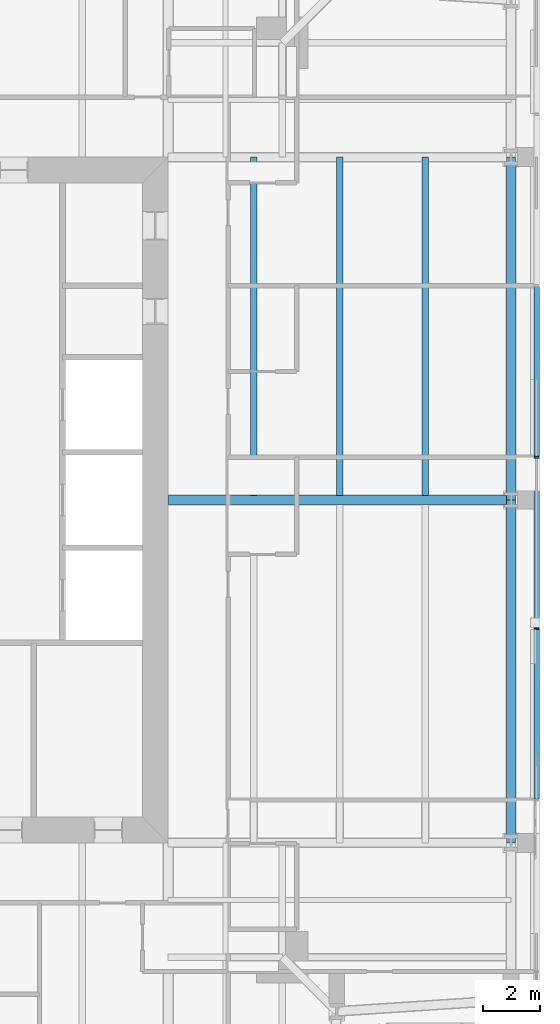
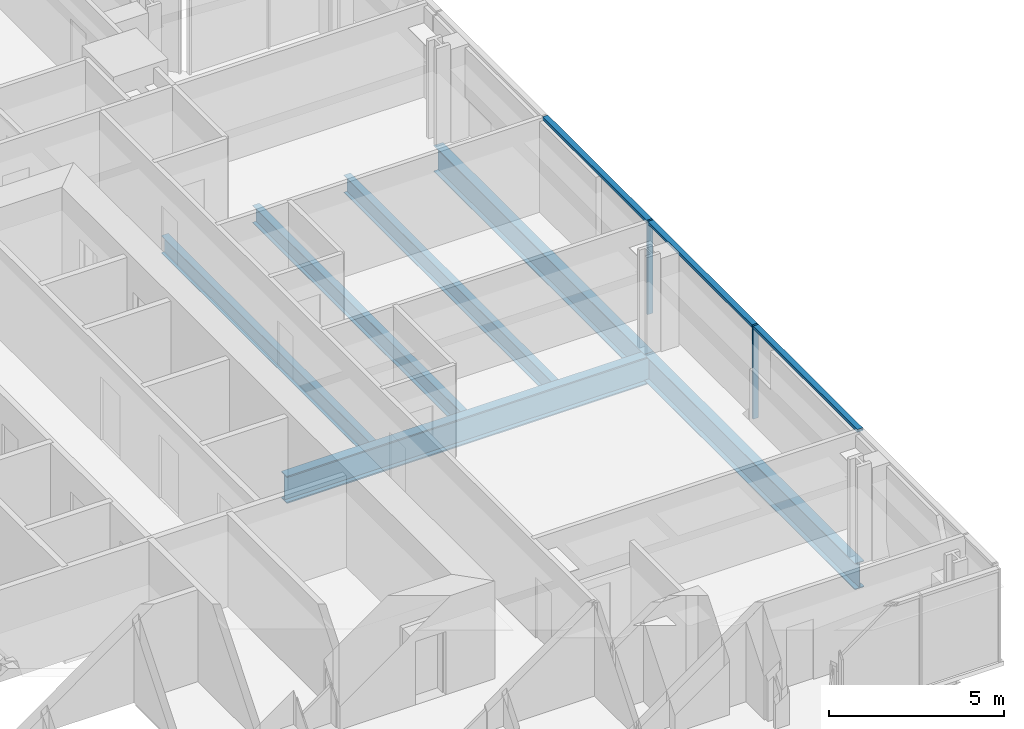
# One storey, part 6 of 18: 6 beams, 5 members, 1 element without a shape of its own.
"""IFC4 building model written with IfcOpenShell, lengths in metres."""

from ifc_helpers import new_model, si_unit, direction, frame, origin, origin_2d, place, context, subcontext, project, spatial, rectangle, i_section, extrude, material, material_profile, profile_set, type_object, element, aggregate, save


model = new_model("IFC4")

# Units and contexts
model_context = context("Model", 3, precision=1e-05, world=origin(), true_north=direction((0.0, 1.0)))
body_context = subcontext(model_context, "Body", "Model", "MODEL_VIEW")
ifc_project = project(units=[si_unit("LENGTHUNIT", "METRE"), si_unit("AREAUNIT", "SQUARE_METRE"), si_unit("VOLUMEUNIT", "CUBIC_METRE"), si_unit("PLANEANGLEUNIT", "RADIAN"), si_unit("MASSUNIT", "GRAM", prefix="KILO")], contexts=[model_context])

# Site, building, storey
site_placement = place(None, origin())
site = spatial("IfcSite", under=ifc_project, at=site_placement, CompositionType="ELEMENT")
building_placement = place(site_placement, origin())
building = spatial("IfcBuilding", under=site, at=building_placement, Name="Fenwick Lantern Interchange", CompositionType="ELEMENT")
storey_placement = place(building_placement, frame((0.0, 0.0, 262.800048828125)))
storey = spatial("IfcBuildingStorey", under=building, at=storey_placement, Name="L62", CompositionType="ELEMENT", Elevation=262.800048828125)

# Beams
ifc_material_1 = material(Name="Steel ASTM A992 Grade 50", Category="steel")
ifc_material_profile_1 = material_profile(ifc_material_1, i_section(OverallWidth=0.3046875, OverallDepth=0.911865234375, WebThickness=0.015869140625, FlangeThickness=0.02392578125, at=origin_2d()), Name="W36X150")
ifc_profile_set_1 = profile_set([ifc_material_profile_1], Name="Steel ASTM A992 Grade 50")
beam_type_1 = type_object("IfcBeamType", Name="EDGE BEAM W36X150", PredefinedType="SPANDREL", material=ifc_profile_set_1)
for number, where, z_axis, x_axis, name in (
    (1, (49.0, 13.0, -0.60595703125), (0.0, 1.0, 0.0), (-1.0, 0.0, 0.0), "L62/FR/E/EB2"),
    (2, (49.0, 25.0, -0.60595703125), (0.0, 1.0, 0.0), (-1.0, 0.0, 0.0), "L62/FR/E/EB3"),
):
    element("IfcBeam", number, at=place(storey_placement, frame(where, z_axis=z_axis, x_axis=x_axis)), inside=storey, type_object=beam_type_1, Name=name, PredefinedType="SPANDREL", context=body_context, shape_type="SweptSolid", body=[
        extrude(i_section(OverallWidth=0.3046875, OverallDepth=0.911865234375, WebThickness=0.015869140625, FlangeThickness=0.02392578125, at=origin_2d()), origin(), (0.0, 0.0, 1.0), 12.0),
    ])
ifc_material_profile_2 = material_profile(ifc_material_1, i_section(OverallWidth=0.22900390625, OverallDepth=0.612060546875, WebThickness=0.011962890625, FlangeThickness=0.01953125, at=origin_2d()), Name="W24X84")
ifc_profile_set_2 = profile_set([ifc_material_profile_2], Name="Steel ASTM A992 Grade 50")
beam_type_2 = type_object("IfcBeamType", Name="FLOOR BEAM W24X84", PredefinedType="BEAM", material=ifc_profile_set_2)
for number, where, z_axis, x_axis, name in (
    (3, (46.0, 25.155029296875, -0.4560546875), (0.0, 1.0, 0.0), (-1.0, 0.0, 0.0), "L62/FR/E/B04"),
    (4, (43.0, 25.155029296875, -0.4560546875), (0.0, 1.0, 0.0), (-1.0, 0.0, 0.0), "L62/FR/E/B05"),
    (5, (40.0, 25.155029296875, -0.4560546875), (0.0, 1.0, 0.0), (-1.0, 0.0, 0.0), "L62/FR/E/B06"),
):
    element("IfcBeam", number, at=place(storey_placement, frame(where, z_axis=z_axis, x_axis=x_axis)), inside=storey, type_object=beam_type_2, Name=name, PredefinedType="BEAM", context=body_context, shape_type="SweptSolid", body=[
        extrude(i_section(OverallWidth=0.22900390625, OverallDepth=0.612060546875, WebThickness=0.011962890625, FlangeThickness=0.01953125, at=origin_2d()), origin(), (0.0, 0.0, 1.0), 11.844970703125),
    ])

# Curtain wall, members
ifc_material_2 = material(Name="Aluminium curtain wall frame", Category="aluminium")
curtain_wall_type = type_object("IfcCurtainWallType", Name="HOTEL CURTAIN WALL", PredefinedType="USERDEFINED", material=ifc_material_2)
curtain_wall_placement = place(storey_placement, origin())
curtain_wall = element("IfcCurtainWall", 6, at=curtain_wall_placement, inside=storey, type_object=curtain_wall_type, Name="Hotel curtain wall 05", ObjectType="HOTEL CURTAIN WALL", PredefinedType="USERDEFINED")
ifc_material_3 = material(Name="Aluminium extrusion", Category="aluminium")
ifc_material_profile_3 = material_profile(ifc_material_3, rectangle(XDim=0.179931640625, YDim=0.06005859375, at=origin_2d()), Name="HOTEL CURTAIN WALL MULLION 60 X 180")
ifc_profile_set_3 = profile_set([ifc_material_profile_3], Name="Aluminium extrusion")
member_type_1 = type_object("IfcMemberType", Name="HOTEL CURTAIN WALL MULLION 60 X 180", PredefinedType="MULLION", material=ifc_profile_set_3)
member_1_placement = place(storey_placement, frame((49.89990234375, 20.5, 0.0), z_axis=(0.0, 0.0, 1.0), x_axis=(-1.0, 0.0, 0.0)))
member_1 = element("IfcMember", 7, at=member_1_placement, type_object=member_type_1, Name="L62/CW/05/M03", PredefinedType="MULLION", context=body_context, shape_type="SweptSolid", body=[
    extrude(rectangle(XDim=0.179931640625, YDim=0.06005859375, at=origin_2d()), origin(), (0.0, 0.0, 1.0), 3.25),
])
member_2_placement = place(storey_placement, frame((49.89990234375, 26.5, 0.0), z_axis=(0.0, 0.0, 1.0), x_axis=(-1.0, 0.0, 0.0)))
member_2 = element("IfcMember", 8, at=member_2_placement, type_object=member_type_1, Name="L62/CW/05/M04", PredefinedType="MULLION", context=body_context, shape_type="SweptSolid", body=[
    extrude(rectangle(XDim=0.179931640625, YDim=0.06005859375, at=origin_2d()), origin(), (0.0, 0.0, 1.0), 3.25),
])
ifc_material_profile_4 = material_profile(ifc_material_3, rectangle(XDim=0.179931640625, YDim=0.10009765625, at=origin_2d()), Name="HOTEL CURTAIN WALL TRANSOM 100 X 180")
ifc_profile_set_4 = profile_set([ifc_material_profile_4], Name="Aluminium extrusion")
member_type_2 = type_object("IfcMemberType", Name="HOTEL CURTAIN WALL TRANSOM 100 X 180", PredefinedType="MULLION", material=ifc_profile_set_4)
member_3_placement = place(storey_placement, frame((49.89990234375, 14.530029296875, 3.199951171875), z_axis=(0.0, 1.0, 0.0), x_axis=(-1.0, 0.0, 0.0)))
member_3 = element("IfcMember", 9, at=member_3_placement, type_object=member_type_2, Name="L62/CW/05/T02", PredefinedType="MULLION", context=body_context, shape_type="SweptSolid", body=[
    extrude(rectangle(XDim=0.179931640625, YDim=0.10009765625, at=origin_2d()), origin(), (0.0, 0.0, 1.0), 5.93994140625),
])
member_4_placement = place(storey_placement, frame((49.89990234375, 20.530029296875, 3.199951171875), z_axis=(0.0, 1.0, 0.0), x_axis=(-1.0, 0.0, 0.0)))
member_4 = element("IfcMember", 10, at=member_4_placement, type_object=member_type_2, Name="L62/CW/05/T03", PredefinedType="MULLION", context=body_context, shape_type="SweptSolid", body=[
    extrude(rectangle(XDim=0.179931640625, YDim=0.10009765625, at=origin_2d()), origin(), (0.0, 0.0, 1.0), 5.93994140625),
])
member_5_placement = place(storey_placement, frame((49.89990234375, 26.530029296875, 3.199951171875), z_axis=(0.0, 1.0, 0.0), x_axis=(-1.0, 0.0, 0.0)))
member_5 = element("IfcMember", 11, at=member_5_placement, type_object=member_type_2, Name="L62/CW/05/T04", PredefinedType="MULLION", context=body_context, shape_type="SweptSolid", body=[
    extrude(rectangle(XDim=0.179931640625, YDim=0.10009765625, at=origin_2d()), origin(), (0.0, 0.0, 1.0), 5.93994140625),
])
aggregate(curtain_wall, [member_1, member_2, member_3, member_4, member_5])

# Beam
ifc_material_profile_5 = material_profile(ifc_material_1, i_section(OverallWidth=0.309814453125, OverallDepth=0.949951171875, WebThickness=0.0244140625, FlangeThickness=0.0439453125, at=origin_2d()), Name="W36X256")
ifc_profile_set_5 = profile_set([ifc_material_profile_5], Name="Steel ASTM A992 Grade 50")
beam_type_3 = type_object("IfcBeamType", Name="MOMENT-CONNECTED GIRDER W36X256", PredefinedType="BEAM", material=ifc_profile_set_5)
beam_placement = place(storey_placement, frame((49.0, 25.0, -0.625), z_axis=(-1.0, 0.0, 0.0), x_axis=(0.0, -1.0, 0.0)))
element("IfcBeam", 12, at=beam_placement, inside=storey, type_object=beam_type_3, Name="L62/FR/E/R02", PredefinedType="BEAM", context=body_context, shape_type="SweptSolid", body=[
    extrude(i_section(OverallWidth=0.309814453125, OverallDepth=0.949951171875, WebThickness=0.0244140625, FlangeThickness=0.0439453125, at=origin_2d()), origin(), (0.0, 0.0, 1.0), 12.0),
])

save(model, "model.ifc")
